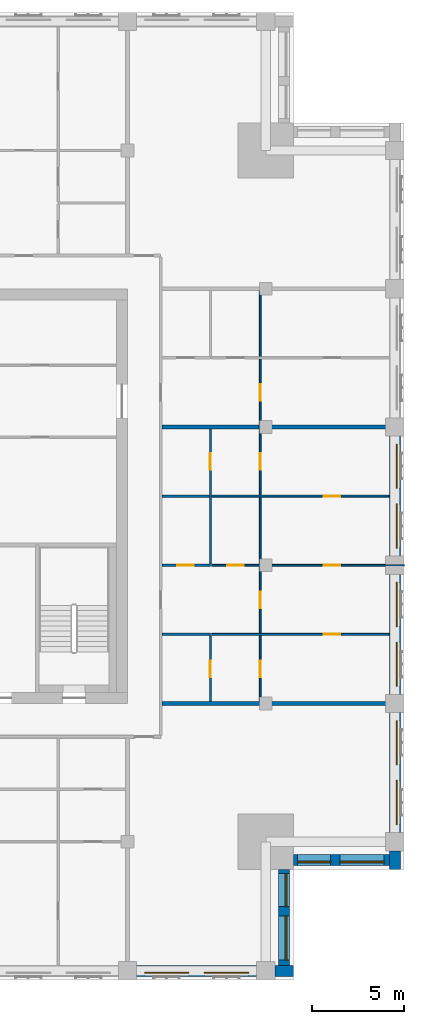
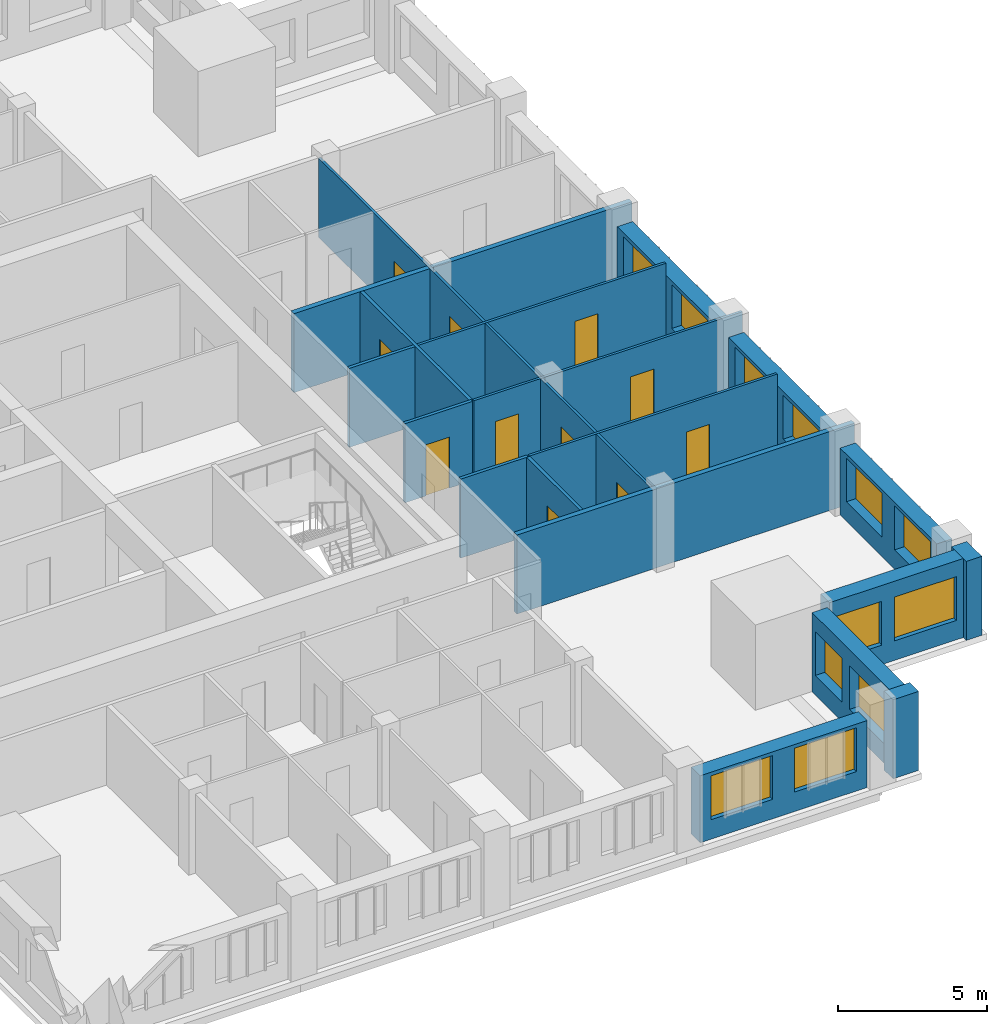
# One storey, part 5 of 10: 19 walls, 12 windows, 11 doors, 23 openings.
"""IFC4 building model written with IfcOpenShell, lengths in metres."""

import ifcopenshell
import ifcopenshell.guid

model = None  # the IFC model being written
_history = None  # IfcOwnerHistory: only IFC2X3 demands one
_inside = {}  # id of a spatial element -> (the spatial element, [elements in it])
_under = {}  # id of a project, library or spatial element -> (it, [spatial elements below it])
_declared = {}  # id of a project -> (the project, [libraries it declares])
_typed = {}  # id of a type object -> (the type object, [elements of that type])
_made_of = {}  # id of a material, layer set ... -> (it, [elements and type objects made of it])


def new_model(schema):
    """Start an empty IFC model of exactly this schema.

    Asked for "IFC4X3", IfcOpenShell would pick the latest addendum, in which some entities
    have other attributes; the version numbers below select the first issue.
    IFC2X3 requires an IfcOwnerHistory on every rooted entity: one is made here for all.
    """
    global model, _history
    if schema == "IFC4X3":
        model = ifcopenshell.file(schema_version=(4, 3, 0, 0))
    else:
        model = ifcopenshell.file(schema=schema)
    _inside.clear()
    _under.clear()
    _declared.clear()
    _typed.clear()
    _made_of.clear()
    _history = None
    if model.schema == "IFC2X3":
        org = make("IfcOrganization", Name="unknown")
        user = make(
            "IfcPersonAndOrganization",
            ThePerson=make("IfcPerson", FamilyName="unknown"),
            TheOrganization=org,
        )
        app = make(
            "IfcApplication",
            ApplicationDeveloper=org,
            Version="unknown",
            ApplicationFullName="unknown",
            ApplicationIdentifier="unknown",
        )
        _history = make(
            "IfcOwnerHistory",
            OwningUser=user,
            OwningApplication=app,
            ChangeAction="ADDED",
            CreationDate=0,
        )
    return model


def make(cls, **values):
    """One entity of the class cls with the attributes given. An attribute that is None is left unset."""
    return model.create_entity(
        cls, **{name: value for name, value in values.items() if value is not None}
    )


def rooted(cls, **values):
    """An entity with a GlobalId (a new one), such as an element, a storey or a relation."""
    return make(cls, GlobalId=ifcopenshell.guid.new(), OwnerHistory=_history, **values)


def si_unit(unit_type, name, prefix=None):
    """IfcSIUnit, for example si_unit("LENGTHUNIT", "METRE", prefix="MILLI")."""
    return make("IfcSIUnit", UnitType=unit_type, Prefix=prefix, Name=name)


def assignment(units):
    """IfcUnitAssignment: the units of a project."""
    return None if units is None else make("IfcUnitAssignment", Units=units)


def point(xyz):
    """IfcCartesianPoint."""
    return None if xyz is None else make("IfcCartesianPoint", Coordinates=xyz)


def direction(xyz):
    """IfcDirection."""
    return None if xyz is None else make("IfcDirection", DirectionRatios=xyz)


def frame(location, z_axis=None, x_axis=None):
    """IfcAxis2Placement3D, a coordinate frame: its origin and axes. An axis left out is left unset."""
    return make(
        "IfcAxis2Placement3D",
        Location=point(location),
        Axis=direction(z_axis),
        RefDirection=direction(x_axis),
    )


def frame_2d(location, x_axis=None):
    """IfcAxis2Placement2D, a coordinate frame in the plane: its origin and x axis."""
    return make(
        "IfcAxis2Placement2D", Location=point(location), RefDirection=direction(x_axis)
    )


def origin():
    """The frame at (0, 0, 0) with its axes left unset."""
    return frame((0.0, 0.0, 0.0))


def place(relative_to, where):
    """IfcLocalPlacement: puts the frame where relative to a parent placement (None: the world)."""
    return make(
        "IfcLocalPlacement", PlacementRelTo=relative_to, RelativePlacement=where
    )


def context(
    kind, dimensions, precision=None, world=None, true_north=None, identifier=None
):
    """IfcGeometricRepresentationContext, for example the 3D "Model" context."""
    return make(
        "IfcGeometricRepresentationContext",
        ContextIdentifier=identifier,
        ContextType=kind,
        CoordinateSpaceDimension=dimensions,
        Precision=precision,
        WorldCoordinateSystem=world,
        TrueNorth=true_north,
    )


def subcontext(parent, identifier, kind, view, scale=None):
    """IfcGeometricRepresentationSubContext, for example "Body" below "Model"."""
    return make(
        "IfcGeometricRepresentationSubContext",
        ContextIdentifier=identifier,
        ContextType=kind,
        ParentContext=parent,
        TargetScale=scale,
        TargetView=view,
    )


def project(units=None, contexts=None):
    """IfcProject with its units and contexts."""
    return rooted(
        "IfcProject",
        Name="project",
        RepresentationContexts=contexts,
        UnitsInContext=assignment(units),
    )


def spatial(cls, under=None, at=None, **own):
    """A site, building, storey or space (cls), placed at a placement, below another one or the project."""
    s = rooted(cls, ObjectPlacement=at, **own)
    if under is not None:
        _under.setdefault(under.id(), (under, []))[1].append(s)
    return s


def profile(cls, at=None, kind="AREA", **sizes):
    """A parametric profile (cls). Its sizes go by their IFC names, for example OverallWidth=200.0."""
    return make(cls, ProfileType=kind, Position=at, **sizes)


def rectangle(**sizes):
    """IfcRectangleProfileDef."""
    return profile("IfcRectangleProfileDef", **sizes)


def extrude(swept, where, along, depth):
    """IfcExtrudedAreaSolid: the profile swept, set in the frame where, extruded along a direction by depth."""
    return make(
        "IfcExtrudedAreaSolid",
        SweptArea=swept,
        Position=where,
        ExtrudedDirection=direction(along),
        Depth=depth,
    )


def shape(context_of_items, identifier, shape_type, items):
    """IfcShapeRepresentation: the items that make up one representation, for example the "Body"."""
    return make(
        "IfcShapeRepresentation",
        ContextOfItems=context_of_items,
        RepresentationIdentifier=identifier,
        RepresentationType=shape_type,
        Items=items,
    )


def material(Name=None, Category=None):
    """IfcMaterial."""
    return make("IfcMaterial", Name=Name, Category=Category)


def layer(
    of_material, thickness, ventilated=None, Name=None, Category=None, Priority=None
):
    """IfcMaterialLayer: one layer of a wall or slab, of a material (None: an air gap)."""
    return make(
        "IfcMaterialLayer",
        Material=of_material,
        LayerThickness=thickness,
        IsVentilated=ventilated,
        Name=Name,
        Category=Category,
        Priority=Priority,
    )


def layer_set(layers, Name=None):
    """IfcMaterialLayerSet."""
    return make("IfcMaterialLayerSet", MaterialLayers=layers, LayerSetName=Name)


def made_of(thing, what):
    """Note that an element or type object is made of a material, layer set ...; save() writes the relation."""
    if what is not None:
        _made_of.setdefault(what.id(), (what, []))[1].append(thing)
    return thing


def type_object(cls, material=None, **own):
    """A type object (cls), such as IfcWallType, which elements share."""
    return made_of(rooted(cls, **own), material)


def element(
    cls,
    number,
    at=None,
    inside=None,
    cuts=None,
    type_object=None,
    material=None,
    context=None,
    identifier="Body",
    shape_type=None,
    held_by="IfcProductDefinitionShape",
    body=None,
    shapes=None,
    **own,
):
    """One element of the class cls, such as IfcWall. Its Tag is "e" and its number.

    at: its placement. inside: the storey or other place that contains it. cuts: it is an
    opening in that element (IfcRelVoidsElement). A single representation is given by context,
    identifier, shape_type and body (its items); several are given by shapes. held_by: the class
    of the entity that holds the representations. save() writes the other relations.
    """
    e = rooted(cls, Tag="e%d" % number, ObjectPlacement=at, **own)
    if body is not None:
        shapes = [shape(context, identifier, shape_type, body)]
    if shapes is not None:
        e.Representation = make(held_by, Representations=shapes)
    if inside is not None:
        _inside.setdefault(inside.id(), (inside, []))[1].append(e)
    if cuts is not None:
        rooted(
            "IfcRelVoidsElement", RelatingBuildingElement=cuts, RelatedOpeningElement=e
        )
    if type_object is not None:
        _typed.setdefault(type_object.id(), (type_object, []))[1].append(e)
    return made_of(e, material)


def fill(opening, filler):
    """IfcRelFillsElement: the door or window that sits in an opening."""
    return rooted(
        "IfcRelFillsElement",
        RelatingOpeningElement=opening,
        RelatedBuildingElement=filler,
    )


def aggregate(whole, parts):
    """IfcRelAggregates: a whole, such as a stair, and the parts it consists of."""
    return rooted("IfcRelAggregates", RelatingObject=whole, RelatedObjects=parts)


def save(model, path):
    """Write the relations noted so far, then the file.

    IfcRelAggregates (storeys below a building ...), IfcRelContainedInSpatialStructure (elements
    in a storey), IfcRelDefinesByType, IfcRelAssociatesMaterial and IfcRelDeclares: one each for
    every whole, place, type object, material and project.
    """
    for whole, parts in _under.values():
        aggregate(whole, parts)
    for where, things in _inside.values():
        rooted(
            "IfcRelContainedInSpatialStructure",
            RelatedElements=things,
            RelatingStructure=where,
        )
    for kind, things in _typed.values():
        rooted("IfcRelDefinesByType", RelatedObjects=things, RelatingType=kind)
    for what, things in _made_of.values():
        rooted("IfcRelAssociatesMaterial", RelatedObjects=things, RelatingMaterial=what)
    for by, libraries in _declared.values():
        rooted("IfcRelDeclares", RelatingContext=by, RelatedDefinitions=libraries)
    model.write(path)


model = new_model("IFC4")

# Units and contexts
model_context = context("Model", 3, precision=1e-05, world=origin(), true_north=direction((0.0, 1.0)))
body_context = subcontext(model_context, "Body", "Model", "MODEL_VIEW")
ifc_project = project(units=[si_unit("LENGTHUNIT", "METRE"), si_unit("AREAUNIT", "SQUARE_METRE"), si_unit("VOLUMEUNIT", "CUBIC_METRE"), si_unit("PLANEANGLEUNIT", "RADIAN"), si_unit("MASSUNIT", "GRAM", prefix="KILO")], contexts=[model_context])

# Site, building, storey
site_placement = place(None, origin())
site = spatial("IfcSite", under=ifc_project, at=site_placement, CompositionType="ELEMENT")
building_placement = place(site_placement, origin())
building = spatial("IfcBuilding", under=site, at=building_placement, Name="Tamorin Gate", CompositionType="ELEMENT")
storey_placement = place(building_placement, frame((0.0, 0.0, 273.199951171875)))
storey = spatial("IfcBuildingStorey", under=building, at=storey_placement, Name="L68", CompositionType="ELEMENT", Elevation=273.199951171875)

# Wall, openings, windows
ifc_material_1 = material(Name="Precast concrete C40/50", Category="concrete")
ifc_layer_1 = layer(ifc_material_1, 0.60009765625)
ifc_layer_set_1 = layer_set([ifc_layer_1], Name="Precast concrete C40/50")
wall_type_1 = type_object("IfcWallType", Name="Board-marked concrete facade panel 600", PredefinedType="SOLIDWALL", material=ifc_layer_set_1)
wall_1_placement = place(storey_placement, frame((60.5, 45.5, 0.0), z_axis=(0.0, 0.0, 1.0), x_axis=(1.0, 0.0, 0.0)))
wall_1 = element("IfcWall", 1, at=wall_1_placement, inside=storey, type_object=wall_type_1, Name="Facade panel", PredefinedType="SOLIDWALL", context=body_context, shape_type="SweptSolid", body=[
    extrude(rectangle(XDim=6.5, YDim=0.60009765625, at=frame_2d((3.25, 0.0))), origin(), (0.0, 0.0, 1.0), 2.75),
])
opening_1_placement = place(wall_1_placement, frame((0.425048828125, 0.0, 0.800048828125)))
opening_1 = element("IfcOpeningElement", 2, at=opening_1_placement, cuts=wall_1, Name="Opening WN1", PredefinedType="OPENING", context=body_context, shape_type="SweptSolid", body=[
    extrude(rectangle(XDim=2.39990234375, YDim=1.800048828125, at=frame_2d((1.199951171875, 0.89990234375))), frame((0.0, 0.31005859375, 0.0), z_axis=(0.0, -1.0, 0.0), x_axis=(1.0, 0.0, 0.0)), (0.0, 0.0, 1.0), 0.6201171875),
])
opening_2_placement = place(wall_1_placement, frame((3.675048828125, 0.0, 0.800048828125)))
opening_2 = element("IfcOpeningElement", 3, at=opening_2_placement, cuts=wall_1, Name="Opening WN1", PredefinedType="OPENING", context=body_context, shape_type="SweptSolid", body=[
    extrude(rectangle(XDim=2.39990234375, YDim=1.800048828125, at=frame_2d((1.199951171875, 0.89990234375))), frame((0.0, 0.31005859375, 0.0), z_axis=(0.0, -1.0, 0.0), x_axis=(1.0, 0.0, 0.0)), (0.0, 0.0, 1.0), 0.6201171875),
])
ifc_material_2 = material(Name="Clear glass in aluminium frame", Category="aluminium")
window_type_1 = type_object("IfcWindowType", Name="Deep-set window 2400x1800", PartitioningType="SINGLE_PANEL", PredefinedType="WINDOW", material=ifc_material_2)
window_1_placement = place(opening_1_placement, origin())
window_1 = element("IfcWindow", 4, at=window_1_placement, inside=storey, type_object=window_type_1, Name="Deep-set window", OverallHeight=1.800048828125, OverallWidth=2.39990234375, PartitioningType="SINGLE_PANEL", PredefinedType="WINDOW", context=body_context, shape_type="SweptSolid", body=[
    extrude(rectangle(XDim=2.39990234375, YDim=1.800048828125, at=frame_2d((1.199951171875, 0.89990234375))), frame((0.0, -0.070068359375, 0.0), z_axis=(0.0, -1.0, 0.0), x_axis=(1.0, 0.0, 0.0)), (0.0, 0.0, 1.0), 0.06005859375),
])
fill(opening_1, window_1)
window_2_placement = place(opening_2_placement, origin())
window_2 = element("IfcWindow", 5, at=window_2_placement, inside=storey, type_object=window_type_1, Name="Deep-set window", OverallHeight=1.800048828125, OverallWidth=2.39990234375, PartitioningType="SINGLE_PANEL", PredefinedType="WINDOW", context=body_context, shape_type="SweptSolid", body=[
    extrude(rectangle(XDim=2.39990234375, YDim=1.800048828125, at=frame_2d((1.199951171875, 0.89990234375))), frame((0.0, -0.070068359375, 0.0), z_axis=(0.0, -1.0, 0.0), x_axis=(1.0, 0.0, 0.0)), (0.0, 0.0, 1.0), 0.06005859375),
])
fill(opening_2, window_2)

# Wall
wall_2_placement = place(storey_placement, frame((68.0, 45.5, 0.0), z_axis=(0.0, 0.0, 1.0), x_axis=(1.0, 0.0, 0.0)))
element("IfcWall", 6, at=wall_2_placement, inside=storey, type_object=wall_type_1, Name="Facade panel", PredefinedType="SOLIDWALL", context=body_context, shape_type="SweptSolid", body=[
    extrude(rectangle(XDim=1.0, YDim=0.60009765625, at=frame_2d((0.5, 0.0))), origin(), (0.0, 0.0, 1.0), 3.25),
])

# Wall, openings, windows
wall_3_placement = place(storey_placement, frame((68.5, 45.800048828125, 0.0), z_axis=(0.0, 0.0, 1.0), x_axis=(0.0, 1.0, 0.0)))
wall_3 = element("IfcWall", 7, at=wall_3_placement, inside=storey, type_object=wall_type_1, Name="Facade panel", PredefinedType="SOLIDWALL", context=body_context, shape_type="SweptSolid", body=[
    extrude(rectangle(XDim=5.199951171875, YDim=0.60009765625, at=frame_2d((2.60009765625, 0.0))), origin(), (0.0, 0.0, 1.0), 3.25),
])
opening_3_placement = place(wall_3_placement, frame((0.27490234375, 0.0, 0.800048828125)))
opening_3 = element("IfcOpeningElement", 8, at=opening_3_placement, cuts=wall_3, Name="Opening WN1", PredefinedType="OPENING", context=body_context, shape_type="SweptSolid", body=[
    extrude(rectangle(XDim=2.39990234375, YDim=1.800048828125, at=frame_2d((1.199951171875, 0.89990234375))), frame((0.0, 0.31005859375, 0.0), z_axis=(0.0, -1.0, 0.0), x_axis=(1.0, 0.0, 0.0)), (0.0, 0.0, 1.0), 0.6201171875),
])
opening_4_placement = place(wall_3_placement, frame((3.175048828125, 0.0, 0.800048828125)))
opening_4 = element("IfcOpeningElement", 9, at=opening_4_placement, cuts=wall_3, Name="Opening WN2", PredefinedType="OPENING", context=body_context, shape_type="SweptSolid", body=[
    extrude(rectangle(XDim=1.800048828125, YDim=1.800048828125, at=frame_2d((0.89990234375, 0.89990234375))), frame((0.0, 0.31005859375, 0.0), z_axis=(0.0, -1.0, 0.0), x_axis=(1.0, 0.0, 0.0)), (0.0, 0.0, 1.0), 0.6201171875),
])
window_type_2 = type_object("IfcWindowType", Name="Deep-set window 1800x1800", PartitioningType="SINGLE_PANEL", PredefinedType="WINDOW", material=ifc_material_2)
window_3_placement = place(opening_4_placement, origin())
window_3 = element("IfcWindow", 10, at=window_3_placement, inside=storey, type_object=window_type_2, Name="Deep-set window", OverallHeight=1.800048828125, OverallWidth=1.800048828125, PartitioningType="SINGLE_PANEL", PredefinedType="WINDOW", context=body_context, shape_type="SweptSolid", body=[
    extrude(rectangle(XDim=1.800048828125, YDim=1.800048828125, at=frame_2d((0.89990234375, 0.89990234375))), frame((0.0, -0.070068359375, 0.0), z_axis=(0.0, -1.0, 0.0), x_axis=(1.0, 0.0, 0.0)), (0.0, 0.0, 1.0), 0.06005859375),
])
fill(opening_4, window_3)
window_4_placement = place(opening_3_placement, origin())
window_4 = element("IfcWindow", 11, at=window_4_placement, inside=storey, type_object=window_type_1, Name="Deep-set window", OverallHeight=1.800048828125, OverallWidth=2.39990234375, PartitioningType="SINGLE_PANEL", PredefinedType="WINDOW", context=body_context, shape_type="SweptSolid", body=[
    extrude(rectangle(XDim=2.39990234375, YDim=1.800048828125, at=frame_2d((1.199951171875, 0.89990234375))), frame((0.0, -0.070068359375, 0.0), z_axis=(0.0, -1.0, 0.0), x_axis=(1.0, 0.0, 0.0)), (0.0, 0.0, 1.0), 0.06005859375),
])
fill(opening_3, window_4)

wall_4_placement = place(storey_placement, frame((69.0, 51.5, 0.0), z_axis=(0.0, 0.0, 1.0), x_axis=(1.0, 0.0, 0.0)))
wall_4 = element("IfcWall", 12, at=wall_4_placement, inside=storey, type_object=wall_type_1, Name="Facade panel", PredefinedType="SOLIDWALL", context=body_context, shape_type="SweptSolid", body=[
    extrude(rectangle(XDim=5.199951171875, YDim=0.60009765625, at=frame_2d((2.60009765625, 0.0))), origin(), (0.0, 0.0, 1.0), 3.25),
])
opening_5_placement = place(wall_4_placement, frame((0.22509765625, 0.0, 0.800048828125)))
opening_5 = element("IfcOpeningElement", 13, at=opening_5_placement, cuts=wall_4, Name="Opening WN2", PredefinedType="OPENING", context=body_context, shape_type="SweptSolid", body=[
    extrude(rectangle(XDim=1.800048828125, YDim=1.800048828125, at=frame_2d((0.89990234375, 0.89990234375))), frame((0.0, 0.31005859375, 0.0), z_axis=(0.0, -1.0, 0.0), x_axis=(1.0, 0.0, 0.0)), (0.0, 0.0, 1.0), 0.6201171875),
])
opening_6_placement = place(wall_4_placement, frame((2.52490234375, 0.0, 0.800048828125)))
opening_6 = element("IfcOpeningElement", 14, at=opening_6_placement, cuts=wall_4, Name="Opening WN1", PredefinedType="OPENING", context=body_context, shape_type="SweptSolid", body=[
    extrude(rectangle(XDim=2.39990234375, YDim=1.800048828125, at=frame_2d((1.199951171875, 0.89990234375))), frame((0.0, 0.31005859375, 0.0), z_axis=(0.0, -1.0, 0.0), x_axis=(1.0, 0.0, 0.0)), (0.0, 0.0, 1.0), 0.6201171875),
])
window_5_placement = place(opening_5_placement, origin())
window_5 = element("IfcWindow", 15, at=window_5_placement, inside=storey, type_object=window_type_2, Name="Deep-set window", OverallHeight=1.800048828125, OverallWidth=1.800048828125, PartitioningType="SINGLE_PANEL", PredefinedType="WINDOW", context=body_context, shape_type="SweptSolid", body=[
    extrude(rectangle(XDim=1.800048828125, YDim=1.800048828125, at=frame_2d((0.89990234375, 0.89990234375))), frame((0.0, -0.070068359375, 0.0), z_axis=(0.0, -1.0, 0.0), x_axis=(1.0, 0.0, 0.0)), (0.0, 0.0, 1.0), 0.06005859375),
])
fill(opening_5, window_5)
window_6_placement = place(opening_6_placement, origin())
window_6 = element("IfcWindow", 16, at=window_6_placement, inside=storey, type_object=window_type_1, Name="Deep-set window", OverallHeight=1.800048828125, OverallWidth=2.39990234375, PartitioningType="SINGLE_PANEL", PredefinedType="WINDOW", context=body_context, shape_type="SweptSolid", body=[
    extrude(rectangle(XDim=2.39990234375, YDim=1.800048828125, at=frame_2d((1.199951171875, 0.89990234375))), frame((0.0, -0.070068359375, 0.0), z_axis=(0.0, -1.0, 0.0), x_axis=(1.0, 0.0, 0.0)), (0.0, 0.0, 1.0), 0.06005859375),
])
fill(opening_6, window_6)

# Wall
wall_5_placement = place(storey_placement, frame((74.5, 51.0, 0.0), z_axis=(0.0, 0.0, 1.0), x_axis=(0.0, 1.0, 0.0)))
element("IfcWall", 17, at=wall_5_placement, inside=storey, type_object=wall_type_1, Name="Facade panel", PredefinedType="SOLIDWALL", context=body_context, shape_type="SweptSolid", body=[
    extrude(rectangle(XDim=1.0, YDim=0.60009765625, at=frame_2d((0.5, 0.0))), origin(), (0.0, 0.0, 1.0), 3.25),
])

# Wall, openings, windows
wall_6_placement = place(storey_placement, frame((74.5, 53.0, 0.0), z_axis=(0.0, 0.0, 1.0), x_axis=(0.0, 1.0, 0.0)))
wall_6 = element("IfcWall", 18, at=wall_6_placement, inside=storey, type_object=wall_type_1, Name="Facade panel", PredefinedType="SOLIDWALL", context=body_context, shape_type="SweptSolid", body=[
    extrude(rectangle(XDim=6.5, YDim=0.60009765625, at=frame_2d((3.25, 0.0))), origin(), (0.0, 0.0, 1.0), 2.75),
])
opening_7_placement = place(wall_6_placement, frame((0.425048828125, 0.0, 0.800048828125)))
opening_7 = element("IfcOpeningElement", 19, at=opening_7_placement, cuts=wall_6, Name="Opening WN1", PredefinedType="OPENING", context=body_context, shape_type="SweptSolid", body=[
    extrude(rectangle(XDim=2.39990234375, YDim=1.800048828125, at=frame_2d((1.199951171875, 0.89990234375))), frame((0.0, 0.31005859375, 0.0), z_axis=(0.0, -1.0, 0.0), x_axis=(1.0, 0.0, 0.0)), (0.0, 0.0, 1.0), 0.6201171875),
])
opening_8_placement = place(wall_6_placement, frame((3.675048828125, 0.0, 0.800048828125)))
opening_8 = element("IfcOpeningElement", 20, at=opening_8_placement, cuts=wall_6, Name="Opening WN1", PredefinedType="OPENING", context=body_context, shape_type="SweptSolid", body=[
    extrude(rectangle(XDim=2.39990234375, YDim=1.800048828125, at=frame_2d((1.199951171875, 0.89990234375))), frame((0.0, 0.31005859375, 0.0), z_axis=(0.0, -1.0, 0.0), x_axis=(1.0, 0.0, 0.0)), (0.0, 0.0, 1.0), 0.6201171875),
])
window_7_placement = place(opening_7_placement, origin())
window_7 = element("IfcWindow", 21, at=window_7_placement, inside=storey, type_object=window_type_1, Name="Deep-set window", OverallHeight=1.800048828125, OverallWidth=2.39990234375, PartitioningType="SINGLE_PANEL", PredefinedType="WINDOW", context=body_context, shape_type="SweptSolid", body=[
    extrude(rectangle(XDim=2.39990234375, YDim=1.800048828125, at=frame_2d((1.199951171875, 0.89990234375))), frame((0.0, -0.070068359375, 0.0), z_axis=(0.0, -1.0, 0.0), x_axis=(1.0, 0.0, 0.0)), (0.0, 0.0, 1.0), 0.06005859375),
])
fill(opening_7, window_7)
window_8_placement = place(opening_8_placement, origin())
window_8 = element("IfcWindow", 22, at=window_8_placement, inside=storey, type_object=window_type_1, Name="Deep-set window", OverallHeight=1.800048828125, OverallWidth=2.39990234375, PartitioningType="SINGLE_PANEL", PredefinedType="WINDOW", context=body_context, shape_type="SweptSolid", body=[
    extrude(rectangle(XDim=2.39990234375, YDim=1.800048828125, at=frame_2d((1.199951171875, 0.89990234375))), frame((0.0, -0.070068359375, 0.0), z_axis=(0.0, -1.0, 0.0), x_axis=(1.0, 0.0, 0.0)), (0.0, 0.0, 1.0), 0.06005859375),
])
fill(opening_8, window_8)

wall_7_placement = place(storey_placement, frame((74.5, 60.5, 0.0), z_axis=(0.0, 0.0, 1.0), x_axis=(0.0, 1.0, 0.0)))
wall_7 = element("IfcWall", 23, at=wall_7_placement, inside=storey, type_object=wall_type_1, Name="Facade panel", PredefinedType="SOLIDWALL", context=body_context, shape_type="SweptSolid", body=[
    extrude(rectangle(XDim=6.5, YDim=0.60009765625, at=frame_2d((3.25, 0.0))), origin(), (0.0, 0.0, 1.0), 2.75),
])
opening_9_placement = place(wall_7_placement, frame((0.425048828125, 0.0, 0.800048828125)))
opening_9 = element("IfcOpeningElement", 24, at=opening_9_placement, cuts=wall_7, Name="Opening WN1", PredefinedType="OPENING", context=body_context, shape_type="SweptSolid", body=[
    extrude(rectangle(XDim=2.39990234375, YDim=1.800048828125, at=frame_2d((1.199951171875, 0.89990234375))), frame((0.0, 0.31005859375, 0.0), z_axis=(0.0, -1.0, 0.0), x_axis=(1.0, 0.0, 0.0)), (0.0, 0.0, 1.0), 0.6201171875),
])
opening_10_placement = place(wall_7_placement, frame((3.675048828125, 0.0, 0.800048828125)))
opening_10 = element("IfcOpeningElement", 25, at=opening_10_placement, cuts=wall_7, Name="Opening WN1", PredefinedType="OPENING", context=body_context, shape_type="SweptSolid", body=[
    extrude(rectangle(XDim=2.39990234375, YDim=1.800048828125, at=frame_2d((1.199951171875, 0.89990234375))), frame((0.0, 0.31005859375, 0.0), z_axis=(0.0, -1.0, 0.0), x_axis=(1.0, 0.0, 0.0)), (0.0, 0.0, 1.0), 0.6201171875),
])
window_9_placement = place(opening_9_placement, origin())
window_9 = element("IfcWindow", 26, at=window_9_placement, inside=storey, type_object=window_type_1, Name="Deep-set window", OverallHeight=1.800048828125, OverallWidth=2.39990234375, PartitioningType="SINGLE_PANEL", PredefinedType="WINDOW", context=body_context, shape_type="SweptSolid", body=[
    extrude(rectangle(XDim=2.39990234375, YDim=1.800048828125, at=frame_2d((1.199951171875, 0.89990234375))), frame((0.0, -0.070068359375, 0.0), z_axis=(0.0, -1.0, 0.0), x_axis=(1.0, 0.0, 0.0)), (0.0, 0.0, 1.0), 0.06005859375),
])
fill(opening_9, window_9)
window_10_placement = place(opening_10_placement, origin())
window_10 = element("IfcWindow", 27, at=window_10_placement, inside=storey, type_object=window_type_1, Name="Deep-set window", OverallHeight=1.800048828125, OverallWidth=2.39990234375, PartitioningType="SINGLE_PANEL", PredefinedType="WINDOW", context=body_context, shape_type="SweptSolid", body=[
    extrude(rectangle(XDim=2.39990234375, YDim=1.800048828125, at=frame_2d((1.199951171875, 0.89990234375))), frame((0.0, -0.070068359375, 0.0), z_axis=(0.0, -1.0, 0.0), x_axis=(1.0, 0.0, 0.0)), (0.0, 0.0, 1.0), 0.06005859375),
])
fill(opening_10, window_10)

wall_8_placement = place(storey_placement, frame((74.5, 68.0, 0.0), z_axis=(0.0, 0.0, 1.0), x_axis=(0.0, 1.0, 0.0)))
wall_8 = element("IfcWall", 28, at=wall_8_placement, inside=storey, type_object=wall_type_1, Name="Facade panel", PredefinedType="SOLIDWALL", context=body_context, shape_type="SweptSolid", body=[
    extrude(rectangle(XDim=6.5, YDim=0.60009765625, at=frame_2d((3.25, 0.0))), origin(), (0.0, 0.0, 1.0), 2.75),
])
opening_11_placement = place(wall_8_placement, frame((0.425048828125, 0.0, 0.800048828125)))
opening_11 = element("IfcOpeningElement", 29, at=opening_11_placement, cuts=wall_8, Name="Opening WN1", PredefinedType="OPENING", context=body_context, shape_type="SweptSolid", body=[
    extrude(rectangle(XDim=2.39990234375, YDim=1.800048828125, at=frame_2d((1.199951171875, 0.89990234375))), frame((0.0, 0.31005859375, 0.0), z_axis=(0.0, -1.0, 0.0), x_axis=(1.0, 0.0, 0.0)), (0.0, 0.0, 1.0), 0.6201171875),
])
opening_12_placement = place(wall_8_placement, frame((3.675048828125, 0.0, 0.800048828125)))
opening_12 = element("IfcOpeningElement", 30, at=opening_12_placement, cuts=wall_8, Name="Opening WN1", PredefinedType="OPENING", context=body_context, shape_type="SweptSolid", body=[
    extrude(rectangle(XDim=2.39990234375, YDim=1.800048828125, at=frame_2d((1.199951171875, 0.89990234375))), frame((0.0, 0.31005859375, 0.0), z_axis=(0.0, -1.0, 0.0), x_axis=(1.0, 0.0, 0.0)), (0.0, 0.0, 1.0), 0.6201171875),
])
window_11_placement = place(opening_11_placement, origin())
window_11 = element("IfcWindow", 31, at=window_11_placement, inside=storey, type_object=window_type_1, Name="Deep-set window", OverallHeight=1.800048828125, OverallWidth=2.39990234375, PartitioningType="SINGLE_PANEL", PredefinedType="WINDOW", context=body_context, shape_type="SweptSolid", body=[
    extrude(rectangle(XDim=2.39990234375, YDim=1.800048828125, at=frame_2d((1.199951171875, 0.89990234375))), frame((0.0, -0.070068359375, 0.0), z_axis=(0.0, -1.0, 0.0), x_axis=(1.0, 0.0, 0.0)), (0.0, 0.0, 1.0), 0.06005859375),
])
fill(opening_11, window_11)
window_12_placement = place(opening_12_placement, origin())
window_12 = element("IfcWindow", 32, at=window_12_placement, inside=storey, type_object=window_type_1, Name="Deep-set window", OverallHeight=1.800048828125, OverallWidth=2.39990234375, PartitioningType="SINGLE_PANEL", PredefinedType="WINDOW", context=body_context, shape_type="SweptSolid", body=[
    extrude(rectangle(XDim=2.39990234375, YDim=1.800048828125, at=frame_2d((1.199951171875, 0.89990234375))), frame((0.0, -0.070068359375, 0.0), z_axis=(0.0, -1.0, 0.0), x_axis=(1.0, 0.0, 0.0)), (0.0, 0.0, 1.0), 0.06005859375),
])
fill(opening_12, window_12)

# Walls
ifc_material_3 = material(Name="Gypsum board partition")
ifc_layer_2 = layer(ifc_material_3, 0.199951171875)
ifc_layer_set_2 = layer_set([ifc_layer_2], Name="Demising wall 200")
wall_type_2 = type_object("IfcWallType", Name="Demising wall 200", PredefinedType="PARTITIONING", material=ifc_layer_set_2)
for number, where, z_axis, x_axis, name in (
    (33, (61.875, 60.0, 0.0), (0.0, 0.0, 1.0), (1.0, 0.0, 0.0), "Demising wall 200"),
    (34, (61.875, 75.0, 0.0), (0.0, 0.0, 1.0), (1.0, 0.0, 0.0), "Demising wall 200"),
):
    element("IfcWall", number, at=place(storey_placement, frame(where, z_axis=z_axis, x_axis=x_axis)), inside=storey, type_object=wall_type_2, Name=name, PredefinedType="PARTITIONING", context=body_context, shape_type="SweptSolid", body=[
        extrude(rectangle(XDim=13.125, YDim=0.199951171875, at=frame_2d((6.5625, 0.0))), origin(), (0.0, 0.0, 1.0), 3.25),
    ])

# Wall, opening, door
ifc_layer_3 = layer(ifc_material_3, 0.10009765625)
ifc_layer_set_3 = layer_set([ifc_layer_3], Name="Room partition 100")
wall_type_3 = type_object("IfcWallType", Name="Room partition 100", PredefinedType="PARTITIONING", material=ifc_layer_set_3)
wall_9_placement = place(storey_placement, frame((64.5625, 63.75, 0.0), z_axis=(0.0, 0.0, 1.0), x_axis=(1.0, 0.0, 0.0)))
wall_9 = element("IfcWall", 35, at=wall_9_placement, inside=storey, type_object=wall_type_3, Name="Room partition 100", PredefinedType="PARTITIONING", context=body_context, shape_type="SweptSolid", body=[
    extrude(rectangle(XDim=9.62744140625, YDim=0.10009765625, at=frame_2d((4.813720703125, 0.0))), origin(), (0.0, 0.0, 1.0), 3.25),
])
opening_13_placement = place(wall_9_placement, frame((6.08740234375, 0.0, 0.0)))
opening_13 = element("IfcOpeningElement", 36, at=opening_13_placement, cuts=wall_9, Name="Opening DR10036", PredefinedType="OPENING", context=body_context, shape_type="SweptSolid", body=[
    extrude(rectangle(XDim=0.89990234375, YDim=2.10009765625, at=frame_2d((0.449951171875, 1.050048828125))), frame((0.0, 0.06005859375, 0.0), z_axis=(0.0, -1.0, 0.0), x_axis=(1.0, 0.0, 0.0)), (0.0, 0.0, 1.0), 0.1201171875),
])
ifc_material_4 = material(Name="Timber door leaf", Category="wood")
door_type = type_object("IfcDoorType", Name="Door 900 x 2100", OperationType="NOTDEFINED", PredefinedType="DOOR", material=ifc_material_4)
door_1_placement = place(opening_13_placement, origin())
door_1 = element("IfcDoor", 37, at=door_1_placement, inside=storey, type_object=door_type, Name="Door DR10036", OperationType="SINGLE_SWING_RIGHT", OverallHeight=2.10009765625, OverallWidth=0.89990234375, PredefinedType="DOOR", context=body_context, shape_type="SweptSolid", body=[
    extrude(rectangle(XDim=0.89990234375, YDim=2.10009765625, at=frame_2d((0.449951171875, 1.050048828125))), frame((0.0, 0.02490234375, 0.0), z_axis=(0.0, -1.0, 0.0), x_axis=(1.0, 0.0, 0.0)), (0.0, 0.0, 1.0), 0.050048828125),
])
fill(opening_13, door_1)

# Wall, openings, doors
wall_10_placement = place(storey_placement, frame((64.5625, 67.5, 0.0), z_axis=(0.0, 0.0, 1.0), x_axis=(1.0, 0.0, 0.0)))
wall_10 = element("IfcWall", 38, at=wall_10_placement, inside=storey, type_object=wall_type_3, Name="Room partition 100", PredefinedType="PARTITIONING", context=body_context, shape_type="SweptSolid", body=[
    extrude(rectangle(XDim=10.4375, YDim=0.10009765625, at=frame_2d((5.21875, 0.0))), origin(), (0.0, 0.0, 1.0), 3.25),
])
opening_14_placement = place(wall_10_placement, frame((0.83740234375, 0.0, 0.0)))
opening_14 = element("IfcOpeningElement", 39, at=opening_14_placement, cuts=wall_10, Name="Opening DR10032", PredefinedType="OPENING", context=body_context, shape_type="SweptSolid", body=[
    extrude(rectangle(XDim=0.89990234375, YDim=2.10009765625, at=frame_2d((0.449951171875, 1.050048828125))), frame((0.0, 0.06005859375, 0.0), z_axis=(0.0, -1.0, 0.0), x_axis=(1.0, 0.0, 0.0)), (0.0, 0.0, 1.0), 0.1201171875),
])
opening_15_placement = place(wall_10_placement, frame((6.08740234375, 0.0, 0.0)))
opening_15 = element("IfcOpeningElement", 40, at=opening_15_placement, cuts=wall_10, Name="Opening DR10037", PredefinedType="OPENING", context=body_context, shape_type="SweptSolid", body=[
    extrude(rectangle(XDim=0.89990234375, YDim=2.10009765625, at=frame_2d((0.449951171875, 1.050048828125))), frame((0.0, 0.06005859375, 0.0), z_axis=(0.0, -1.0, 0.0), x_axis=(1.0, 0.0, 0.0)), (0.0, 0.0, 1.0), 0.1201171875),
])
door_2_placement = place(opening_14_placement, origin())
door_2 = element("IfcDoor", 41, at=door_2_placement, inside=storey, type_object=door_type, Name="Door DR10032", OperationType="SINGLE_SWING_LEFT", OverallHeight=2.10009765625, OverallWidth=0.89990234375, PredefinedType="DOOR", context=body_context, shape_type="SweptSolid", body=[
    extrude(rectangle(XDim=0.89990234375, YDim=2.10009765625, at=frame_2d((0.449951171875, 1.050048828125))), frame((0.0, 0.02490234375, 0.0), z_axis=(0.0, -1.0, 0.0), x_axis=(1.0, 0.0, 0.0)), (0.0, 0.0, 1.0), 0.050048828125),
])
fill(opening_14, door_2)
door_3_placement = place(opening_15_placement, origin())
door_3 = element("IfcDoor", 42, at=door_3_placement, inside=storey, type_object=door_type, Name="Door DR10037", OperationType="SINGLE_SWING_RIGHT", OverallHeight=2.10009765625, OverallWidth=0.89990234375, PredefinedType="DOOR", context=body_context, shape_type="SweptSolid", body=[
    extrude(rectangle(XDim=0.89990234375, YDim=2.10009765625, at=frame_2d((0.449951171875, 1.050048828125))), frame((0.0, 0.02490234375, 0.0), z_axis=(0.0, -1.0, 0.0), x_axis=(1.0, 0.0, 0.0)), (0.0, 0.0, 1.0), 0.050048828125),
])
fill(opening_15, door_3)

# Wall, opening, door
wall_11_placement = place(storey_placement, frame((64.5625, 71.25, 0.0), z_axis=(0.0, 0.0, 1.0), x_axis=(1.0, 0.0, 0.0)))
wall_11 = element("IfcWall", 43, at=wall_11_placement, inside=storey, type_object=wall_type_3, Name="Room partition 100", PredefinedType="PARTITIONING", context=body_context, shape_type="SweptSolid", body=[
    extrude(rectangle(XDim=9.62744140625, YDim=0.10009765625, at=frame_2d((4.813720703125, 0.0))), origin(), (0.0, 0.0, 1.0), 3.25),
])
opening_16_placement = place(wall_11_placement, frame((6.08740234375, 0.0, 0.0)))
opening_16 = element("IfcOpeningElement", 44, at=opening_16_placement, cuts=wall_11, Name="Opening DR10038", PredefinedType="OPENING", context=body_context, shape_type="SweptSolid", body=[
    extrude(rectangle(XDim=0.89990234375, YDim=2.10009765625, at=frame_2d((0.449951171875, 1.050048828125))), frame((0.0, 0.06005859375, 0.0), z_axis=(0.0, -1.0, 0.0), x_axis=(1.0, 0.0, 0.0)), (0.0, 0.0, 1.0), 0.1201171875),
])
door_4_placement = place(opening_16_placement, origin())
door_4 = element("IfcDoor", 45, at=door_4_placement, inside=storey, type_object=door_type, Name="Door DR10038", OperationType="SINGLE_SWING_RIGHT", OverallHeight=2.10009765625, OverallWidth=0.89990234375, PredefinedType="DOOR", context=body_context, shape_type="SweptSolid", body=[
    extrude(rectangle(XDim=0.89990234375, YDim=2.10009765625, at=frame_2d((0.449951171875, 1.050048828125))), frame((0.0, 0.02490234375, 0.0), z_axis=(0.0, -1.0, 0.0), x_axis=(1.0, 0.0, 0.0)), (0.0, 0.0, 1.0), 0.050048828125),
])
fill(opening_16, door_4)

# Wall, openings, doors
wall_12_placement = place(storey_placement, frame((67.199951171875, 60.10009765625, 0.0), z_axis=(0.0, 0.0, 1.0), x_axis=(0.0, 1.0, 0.0)))
wall_12 = element("IfcWall", 46, at=wall_12_placement, inside=storey, type_object=wall_type_3, Name="Room partition 100", PredefinedType="PARTITIONING", context=body_context, shape_type="SweptSolid", body=[
    extrude(rectangle(XDim=22.2998046875, YDim=0.10009765625, at=frame_2d((11.14990234375, 0.0))), origin(), (0.0, 0.0, 1.0), 3.25),
])
opening_17_placement = place(wall_12_placement, frame((1.324951171875, 0.0, 0.0)))
opening_17 = element("IfcOpeningElement", 47, at=opening_17_placement, cuts=wall_12, Name="Opening DR10028", PredefinedType="OPENING", context=body_context, shape_type="SweptSolid", body=[
    extrude(rectangle(XDim=0.89990234375, YDim=2.10009765625, at=frame_2d((0.449951171875, 1.050048828125))), frame((0.0, 0.06005859375, 0.0), z_axis=(0.0, -1.0, 0.0), x_axis=(1.0, 0.0, 0.0)), (0.0, 0.0, 1.0), 0.1201171875),
])
opening_18_placement = place(wall_12_placement, frame((5.074951171875, 0.0, 0.0)))
opening_18 = element("IfcOpeningElement", 48, at=opening_18_placement, cuts=wall_12, Name="Opening DR10031", PredefinedType="OPENING", context=body_context, shape_type="SweptSolid", body=[
    extrude(rectangle(XDim=0.89990234375, YDim=2.10009765625, at=frame_2d((0.449951171875, 1.050048828125))), frame((0.0, 0.06005859375, 0.0), z_axis=(0.0, -1.0, 0.0), x_axis=(1.0, 0.0, 0.0)), (0.0, 0.0, 1.0), 0.1201171875),
])
opening_19_placement = place(wall_12_placement, frame((12.574951171875, 0.0, 0.0)))
opening_19 = element("IfcOpeningElement", 49, at=opening_19_placement, cuts=wall_12, Name="Opening DR10034", PredefinedType="OPENING", context=body_context, shape_type="SweptSolid", body=[
    extrude(rectangle(XDim=0.89990234375, YDim=2.10009765625, at=frame_2d((0.449951171875, 1.050048828125))), frame((0.0, 0.06005859375, 0.0), z_axis=(0.0, -1.0, 0.0), x_axis=(1.0, 0.0, 0.0)), (0.0, 0.0, 1.0), 0.1201171875),
])
opening_20_placement = place(wall_12_placement, frame((16.324951171875, 0.0, 0.0)))
opening_20 = element("IfcOpeningElement", 50, at=opening_20_placement, cuts=wall_12, Name="Opening DR10040", PredefinedType="OPENING", context=body_context, shape_type="SweptSolid", body=[
    extrude(rectangle(XDim=0.89990234375, YDim=2.10009765625, at=frame_2d((0.449951171875, 1.050048828125))), frame((0.0, 0.06005859375, 0.0), z_axis=(0.0, -1.0, 0.0), x_axis=(1.0, 0.0, 0.0)), (0.0, 0.0, 1.0), 0.1201171875),
])
door_5_placement = place(opening_17_placement, origin())
door_5 = element("IfcDoor", 51, at=door_5_placement, inside=storey, type_object=door_type, Name="Door DR10028", OperationType="SINGLE_SWING_LEFT", OverallHeight=2.10009765625, OverallWidth=0.89990234375, PredefinedType="DOOR", context=body_context, shape_type="SweptSolid", body=[
    extrude(rectangle(XDim=0.89990234375, YDim=2.10009765625, at=frame_2d((0.449951171875, 1.050048828125))), frame((0.0, 0.02490234375, 0.0), z_axis=(0.0, -1.0, 0.0), x_axis=(1.0, 0.0, 0.0)), (0.0, 0.0, 1.0), 0.050048828125),
])
fill(opening_17, door_5)
door_6_placement = place(opening_18_placement, origin())
door_6 = element("IfcDoor", 52, at=door_6_placement, inside=storey, type_object=door_type, Name="Door DR10031", OperationType="SINGLE_SWING_LEFT", OverallHeight=2.10009765625, OverallWidth=0.89990234375, PredefinedType="DOOR", context=body_context, shape_type="SweptSolid", body=[
    extrude(rectangle(XDim=0.89990234375, YDim=2.10009765625, at=frame_2d((0.449951171875, 1.050048828125))), frame((0.0, 0.02490234375, 0.0), z_axis=(0.0, -1.0, 0.0), x_axis=(1.0, 0.0, 0.0)), (0.0, 0.0, 1.0), 0.050048828125),
])
fill(opening_18, door_6)
door_7_placement = place(opening_19_placement, origin())
door_7 = element("IfcDoor", 53, at=door_7_placement, inside=storey, type_object=door_type, Name="Door DR10034", OperationType="SINGLE_SWING_LEFT", OverallHeight=2.10009765625, OverallWidth=0.89990234375, PredefinedType="DOOR", context=body_context, shape_type="SweptSolid", body=[
    extrude(rectangle(XDim=0.89990234375, YDim=2.10009765625, at=frame_2d((0.449951171875, 1.050048828125))), frame((0.0, 0.02490234375, 0.0), z_axis=(0.0, -1.0, 0.0), x_axis=(1.0, 0.0, 0.0)), (0.0, 0.0, 1.0), 0.050048828125),
])
fill(opening_19, door_7)
door_8_placement = place(opening_20_placement, origin())
door_8 = element("IfcDoor", 54, at=door_8_placement, inside=storey, type_object=door_type, Name="Door DR10040", OperationType="SINGLE_SWING_LEFT", OverallHeight=2.10009765625, OverallWidth=0.89990234375, PredefinedType="DOOR", context=body_context, shape_type="SweptSolid", body=[
    extrude(rectangle(XDim=0.89990234375, YDim=2.10009765625, at=frame_2d((0.449951171875, 1.050048828125))), frame((0.0, 0.02490234375, 0.0), z_axis=(0.0, -1.0, 0.0), x_axis=(1.0, 0.0, 0.0)), (0.0, 0.0, 1.0), 0.050048828125),
])
fill(opening_20, door_8)

# Wall
ifc_layer_4 = layer(ifc_material_3, 0.125)
ifc_layer_set_4 = layer_set([ifc_layer_4], Name="Wet wall 125")
wall_type_4 = type_object("IfcWallType", Name="Wet wall 125", PredefinedType="PARTITIONING", material=ifc_layer_set_4)
wall_13_placement = place(storey_placement, frame((61.875, 63.75, 0.0), z_axis=(0.0, 0.0, 1.0), x_axis=(1.0, 0.0, 0.0)))
element("IfcWall", 55, at=wall_13_placement, inside=storey, type_object=wall_type_4, Name="Wet wall 125", PredefinedType="PARTITIONING", context=body_context, shape_type="SweptSolid", body=[
    extrude(rectangle(XDim=2.625, YDim=0.125, at=frame_2d((1.3125, 0.0))), origin(), (0.0, 0.0, 1.0), 3.25),
])

# Wall, opening, door
wall_14_placement = place(storey_placement, frame((61.875, 67.5, 0.0), z_axis=(0.0, 0.0, 1.0), x_axis=(1.0, 0.0, 0.0)))
wall_14 = element("IfcWall", 56, at=wall_14_placement, inside=storey, type_object=wall_type_4, Name="Wet wall 125", PredefinedType="PARTITIONING", context=body_context, shape_type="SweptSolid", body=[
    extrude(rectangle(XDim=2.625, YDim=0.125, at=frame_2d((1.3125, 0.0))), origin(), (0.0, 0.0, 1.0), 3.25),
])
opening_21_placement = place(wall_14_placement, frame((0.824951171875, 0.0, 0.0)))
opening_21 = element("IfcOpeningElement", 57, at=opening_21_placement, cuts=wall_14, Name="Opening DR10033", PredefinedType="OPENING", context=body_context, shape_type="SweptSolid", body=[
    extrude(rectangle(XDim=0.89990234375, YDim=2.10009765625, at=frame_2d((0.449951171875, 1.050048828125))), frame((0.0, 0.072509765625, 0.0), z_axis=(0.0, -1.0, 0.0), x_axis=(1.0, 0.0, 0.0)), (0.0, 0.0, 1.0), 0.14501953125),
])
door_9_placement = place(opening_21_placement, origin())
door_9 = element("IfcDoor", 58, at=door_9_placement, inside=storey, type_object=door_type, Name="Door DR10033", OperationType="SINGLE_SWING_LEFT", OverallHeight=2.10009765625, OverallWidth=0.89990234375, PredefinedType="DOOR", context=body_context, shape_type="SweptSolid", body=[
    extrude(rectangle(XDim=0.89990234375, YDim=2.10009765625, at=frame_2d((0.449951171875, 1.050048828125))), frame((0.0, 0.02490234375, 0.0), z_axis=(0.0, -1.0, 0.0), x_axis=(1.0, 0.0, 0.0)), (0.0, 0.0, 1.0), 0.050048828125),
])
fill(opening_21, door_9)

# Wall
wall_15_placement = place(storey_placement, frame((61.875, 71.25, 0.0), z_axis=(0.0, 0.0, 1.0), x_axis=(1.0, 0.0, 0.0)))
element("IfcWall", 59, at=wall_15_placement, inside=storey, type_object=wall_type_4, Name="Wet wall 125", PredefinedType="PARTITIONING", context=body_context, shape_type="SweptSolid", body=[
    extrude(rectangle(XDim=2.5625, YDim=0.125, at=frame_2d((1.28125, 0.0))), origin(), (0.0, 0.0, 1.0), 3.25),
])

# Wall, opening, door
wall_16_placement = place(storey_placement, frame((64.5, 60.10009765625, 0.0), z_axis=(0.0, 0.0, 1.0), x_axis=(0.0, 1.0, 0.0)))
wall_16 = element("IfcWall", 60, at=wall_16_placement, inside=storey, type_object=wall_type_4, Name="Wet wall 125", PredefinedType="PARTITIONING", context=body_context, shape_type="SweptSolid", body=[
    extrude(rectangle(XDim=3.58740234375, YDim=0.125, at=frame_2d((1.793701171875, 0.0))), origin(), (0.0, 0.0, 1.0), 3.25),
])
opening_22_placement = place(wall_16_placement, frame((1.324951171875, 0.0, 0.0)))
opening_22 = element("IfcOpeningElement", 61, at=opening_22_placement, cuts=wall_16, Name="Opening DR10029", PredefinedType="OPENING", context=body_context, shape_type="SweptSolid", body=[
    extrude(rectangle(XDim=0.89990234375, YDim=2.10009765625, at=frame_2d((0.449951171875, 1.050048828125))), frame((0.0, 0.072509765625, 0.0), z_axis=(0.0, -1.0, 0.0), x_axis=(1.0, 0.0, 0.0)), (0.0, 0.0, 1.0), 0.14501953125),
])
door_10_placement = place(opening_22_placement, origin())
door_10 = element("IfcDoor", 62, at=door_10_placement, inside=storey, type_object=door_type, Name="Door DR10029", OperationType="SINGLE_SWING_LEFT", OverallHeight=2.10009765625, OverallWidth=0.89990234375, PredefinedType="DOOR", context=body_context, shape_type="SweptSolid", body=[
    extrude(rectangle(XDim=0.89990234375, YDim=2.10009765625, at=frame_2d((0.449951171875, 1.050048828125))), frame((0.0, 0.02490234375, 0.0), z_axis=(0.0, -1.0, 0.0), x_axis=(1.0, 0.0, 0.0)), (0.0, 0.0, 1.0), 0.050048828125),
])
fill(opening_22, door_10)

wall_17_placement = place(storey_placement, frame((64.5, 67.5625, 0.0), z_axis=(0.0, 0.0, 1.0), x_axis=(0.0, 1.0, 0.0)))
wall_17 = element("IfcWall", 63, at=wall_17_placement, inside=storey, type_object=wall_type_4, Name="Wet wall 125", PredefinedType="PARTITIONING", context=body_context, shape_type="SweptSolid", body=[
    extrude(rectangle(XDim=7.33740234375, YDim=0.125, at=frame_2d((3.668701171875, 0.0))), origin(), (0.0, 0.0, 1.0), 3.25),
])
opening_23_placement = place(wall_17_placement, frame((5.112548828125, 0.0, 0.0)))
opening_23 = element("IfcOpeningElement", 64, at=opening_23_placement, cuts=wall_17, Name="Opening DR10035", PredefinedType="OPENING", context=body_context, shape_type="SweptSolid", body=[
    extrude(rectangle(XDim=0.89990234375, YDim=2.10009765625, at=frame_2d((0.449951171875, 1.050048828125))), frame((0.0, 0.072509765625, 0.0), z_axis=(0.0, -1.0, 0.0), x_axis=(1.0, 0.0, 0.0)), (0.0, 0.0, 1.0), 0.14501953125),
])
door_11_placement = place(opening_23_placement, origin())
door_11 = element("IfcDoor", 65, at=door_11_placement, inside=storey, type_object=door_type, Name="Door DR10035", OperationType="SINGLE_SWING_LEFT", OverallHeight=2.10009765625, OverallWidth=0.89990234375, PredefinedType="DOOR", context=body_context, shape_type="SweptSolid", body=[
    extrude(rectangle(XDim=0.89990234375, YDim=2.10009765625, at=frame_2d((0.449951171875, 1.050048828125))), frame((0.0, 0.02490234375, 0.0), z_axis=(0.0, -1.0, 0.0), x_axis=(1.0, 0.0, 0.0)), (0.0, 0.0, 1.0), 0.050048828125),
])
fill(opening_23, door_11)

save(model, "model.ifc")
